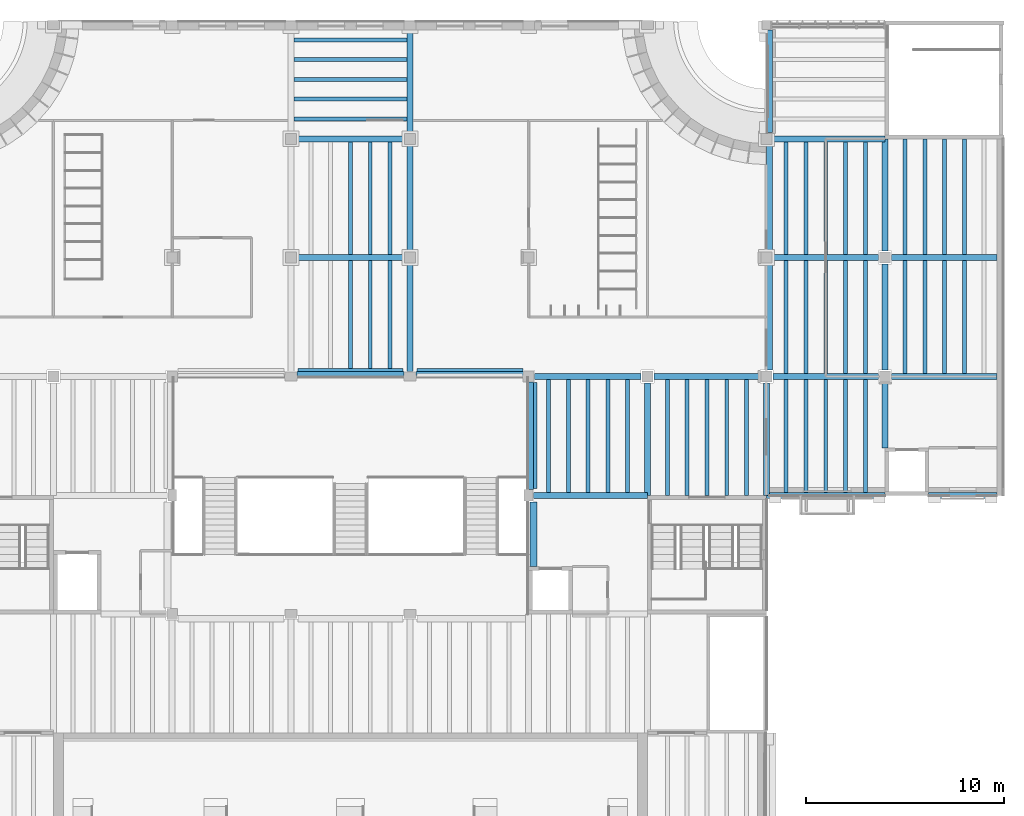
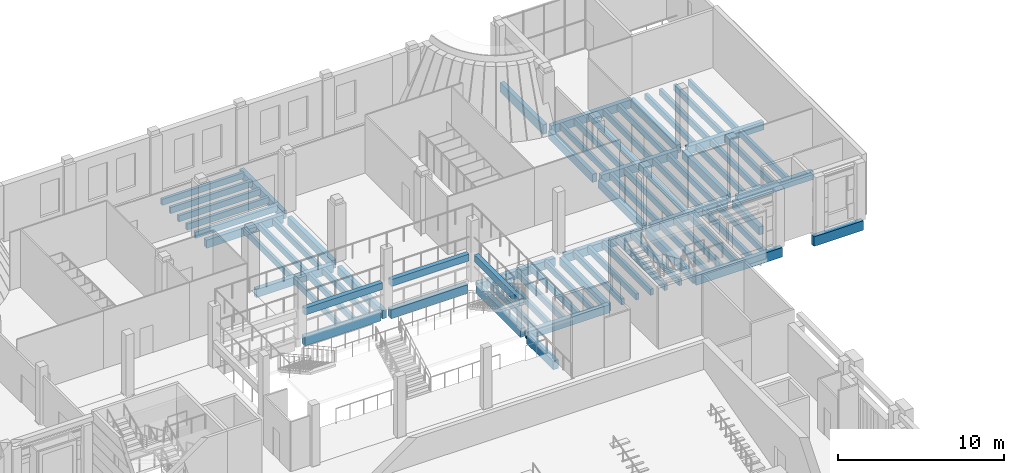
# One storey, part 15 of 70: 74 beams.
"""IFC4 building model written with IfcOpenShell, lengths in metres."""

from ifc_helpers import new_model, si_unit, direction, frame, origin, origin_2d, place, context, subcontext, project, spatial, rectangle, extrude, material, material_profile, profile_set, type_object, element, save


model = new_model("IFC4")

# Units and contexts
model_context = context("Model", 3, precision=1e-05, world=origin(), true_north=direction((0.0, 1.0)))
body_context = subcontext(model_context, "Body", "Model", "MODEL_VIEW")
ifc_project = project(units=[si_unit("LENGTHUNIT", "METRE"), si_unit("AREAUNIT", "SQUARE_METRE"), si_unit("VOLUMEUNIT", "CUBIC_METRE"), si_unit("PLANEANGLEUNIT", "RADIAN"), si_unit("MASSUNIT", "GRAM", prefix="KILO")], contexts=[model_context])

# Site, building, storey
site_placement = place(None, origin())
site = spatial("IfcSite", under=ifc_project, at=site_placement, CompositionType="ELEMENT")
building_placement = place(site_placement, origin())
building = spatial("IfcBuilding", under=site, at=building_placement, Name="Saffron Lane Theatres", CompositionType="ELEMENT")
storey_placement = place(building_placement, frame((0.0, 0.0, 12.0)))
storey = spatial("IfcBuildingStorey", under=building, at=storey_placement, Name="L02", CompositionType="ELEMENT", Elevation=12.0)

# Beams
ifc_material_1 = material(Name="Concrete N40 (40 MPa)", Category="concrete")
ifc_material_profile_1 = material_profile(ifc_material_1, rectangle(XDim=0.300048828125, YDim=0.60009765625, at=origin_2d()))
ifc_profile_set_1 = profile_set([ifc_material_profile_1], Name="Concrete N40 (40 MPa)")
beam_type_1 = type_object("IfcBeamType", Name="RC-BEAM 300x600", PredefinedType="BEAM", material=ifc_profile_set_1)
beam_1_placement = place(storey_placement, frame((42.25, 102.0, -0.550048828125), z_axis=(1.0, 0.0, 0.0), x_axis=(0.0, 1.0, 0.0)))
element("IfcBeam", 1, at=beam_1_placement, inside=storey, type_object=beam_type_1, Name="beam-L02-x1020-422", PredefinedType="BEAM", context=body_context, shape_type="SweptSolid", body=[
    extrude(rectangle(XDim=0.300048828125, YDim=0.60009765625, at=origin_2d()), origin(), (0.0, 0.0, 1.0), 5.75),
])
beam_2_placement = place(storey_placement, frame((42.300048828125, 108.0, -0.64990234375), z_axis=(1.0, 0.0, 0.0), x_axis=(0.0, 1.0, 0.0)))
element("IfcBeam", 2, at=beam_2_placement, inside=storey, type_object=beam_type_1, Name="beam-L02-x1080-423", PredefinedType="BEAM", context=body_context, shape_type="SweptSolid", body=[
    extrude(rectangle(XDim=0.300048828125, YDim=0.60009765625, at=origin_2d()), origin(), (0.0, 0.0, 1.0), 5.375),
])
for number, where, z_axis, x_axis, name in (
    (3, (48.324951171875, 108.0, -0.64990234375), (1.0, 0.0, 0.0), (0.0, 1.0, 0.0), "beam-L02-x1080-483"),
    (4, (54.324951171875, 108.0, -0.550048828125), (1.0, 0.0, 0.0), (0.0, 1.0, 0.0), "beam-L02-x1080-543"),
):
    element("IfcBeam", number, at=place(storey_placement, frame(where, z_axis=z_axis, x_axis=x_axis)), inside=storey, type_object=beam_type_1, Name=name, PredefinedType="BEAM", context=body_context, shape_type="SweptSolid", body=[
        extrude(rectangle(XDim=0.300048828125, YDim=0.60009765625, at=origin_2d()), origin(), (0.0, 0.0, 1.0), 5.35009765625),
    ])
beam_3_placement = place(storey_placement, frame((60.324951171875, 108.0, -0.550048828125), z_axis=(1.0, 0.0, 0.0), x_axis=(0.0, 1.0, 0.0)))
element("IfcBeam", 5, at=beam_3_placement, inside=storey, type_object=beam_type_1, Name="beam-L02-x1080-603", PredefinedType="BEAM", context=body_context, shape_type="SweptSolid", body=[
    extrude(rectangle(XDim=0.300048828125, YDim=0.60009765625, at=origin_2d()), origin(), (0.0, 0.0, 1.0), 5.31494140625),
])
for number, where, z_axis, x_axis, name in (
    (6, (30.324951171875, 114.0, -0.550048828125), (1.0, 0.0, 0.0), (0.0, 1.0, 0.0), "beam-L02-x1140-303"),
    (7, (54.324951171875, 114.0, -0.550048828125), (1.0, 0.0, 0.0), (0.0, 1.0, 0.0), "beam-L02-x1140-543"),
):
    element("IfcBeam", number, at=place(storey_placement, frame(where, z_axis=z_axis, x_axis=x_axis)), inside=storey, type_object=beam_type_1, Name=name, PredefinedType="BEAM", context=body_context, shape_type="SweptSolid", body=[
        extrude(rectangle(XDim=0.300048828125, YDim=0.60009765625, at=origin_2d()), origin(), (0.0, 0.0, 1.0), 5.35009765625),
    ])
beam_4_placement = place(storey_placement, frame((60.324951171875, 114.0, -0.550048828125), z_axis=(1.0, 0.0, 0.0), x_axis=(0.0, 1.0, 0.0)))
element("IfcBeam", 8, at=beam_4_placement, inside=storey, type_object=beam_type_1, Name="beam-L02-x1140-603", PredefinedType="BEAM", context=body_context, shape_type="SweptSolid", body=[
    extrude(rectangle(XDim=0.300048828125, YDim=0.60009765625, at=origin_2d()), origin(), (0.0, 0.0, 1.0), 5.31494140625),
])
beam_5_placement = place(storey_placement, frame((30.324951171875, 120.0, -0.550048828125), z_axis=(1.0, 0.0, 0.0), x_axis=(0.0, 1.0, 0.0)))
element("IfcBeam", 9, at=beam_5_placement, inside=storey, type_object=beam_type_1, Name="beam-L02-x1200-303", PredefinedType="BEAM", context=body_context, shape_type="SweptSolid", body=[
    extrude(rectangle(XDim=0.300048828125, YDim=0.60009765625, at=origin_2d()), origin(), (0.0, 0.0, 1.0), 5.35009765625),
])
beam_6_placement = place(storey_placement, frame((54.324951171875, 120.0, -0.550048828125), z_axis=(1.0, 0.0, 0.0), x_axis=(0.0, 1.0, 0.0)))
element("IfcBeam", 10, at=beam_6_placement, inside=storey, type_object=beam_type_1, Name="beam-L02-x1200-543", PredefinedType="BEAM", context=body_context, shape_type="SweptSolid", body=[
    extrude(rectangle(XDim=0.300048828125, YDim=0.60009765625, at=origin_2d()), origin(), (0.0, 0.0, 1.0), 5.675048828125),
])
beam_7_placement = place(storey_placement, frame((36.0, 108.25, -0.64990234375), z_axis=(0.0, 1.0, 0.0), x_axis=(-1.0, 0.0, 0.0)))
element("IfcBeam", 11, at=beam_7_placement, inside=storey, type_object=beam_type_1, Name="beam-L02-y360-1082", PredefinedType="BEAM", context=body_context, shape_type="SweptSolid", body=[
    extrude(rectangle(XDim=0.300048828125, YDim=0.60009765625, at=origin_2d()), origin(), (0.0, 0.0, 1.0), 5.425048828125),
])
beam_8_placement = place(storey_placement, frame((36.0, 114.324951171875, -0.64990234375), z_axis=(0.0, 1.0, 0.0), x_axis=(-1.0, 0.0, 0.0)))
element("IfcBeam", 12, at=beam_8_placement, inside=storey, type_object=beam_type_1, Name="beam-L02-y360-1143", PredefinedType="BEAM", context=body_context, shape_type="SweptSolid", body=[
    extrude(rectangle(XDim=0.300048828125, YDim=0.60009765625, at=origin_2d()), origin(), (0.0, 0.0, 1.0), 5.35009765625),
])
beam_9_placement = place(storey_placement, frame((36.0, 120.324951171875, -0.64990234375), z_axis=(0.0, 1.0, 0.0), x_axis=(-1.0, 0.0, 0.0)))
element("IfcBeam", 13, at=beam_9_placement, inside=storey, type_object=beam_type_1, Name="beam-L02-y360-1203", PredefinedType="BEAM", context=body_context, shape_type="SweptSolid", body=[
    extrude(rectangle(XDim=0.300048828125, YDim=0.60009765625, at=origin_2d()), origin(), (0.0, 0.0, 1.0), 5.149658203125),
])
for number, where, z_axis, x_axis, name in (
    (14, (48.0, 102.0, -0.550048828125), (0.0, 1.0, 0.0), (-1.0, 0.0, 0.0), "beam-L02-y480-1020"),
    (15, (54.0, 102.0, -0.550048828125), (0.0, 1.0, 0.0), (-1.0, 0.0, 0.0), "beam-L02-y540-1020"),
):
    element("IfcBeam", number, at=place(storey_placement, frame(where, z_axis=z_axis, x_axis=x_axis)), inside=storey, type_object=beam_type_1, Name=name, PredefinedType="BEAM", context=body_context, shape_type="SweptSolid", body=[
        extrude(rectangle(XDim=0.300048828125, YDim=0.60009765625, at=origin_2d()), origin(), (0.0, 0.0, 1.0), 5.675048828125),
    ])
for number, where, z_axis, x_axis, name in (
    (16, (54.14990234375, 108.324951171875, -0.64990234375), (0.0, 1.0, 0.0), (-1.0, 0.0, 0.0), "beam-L02-y540-1083"),
    (17, (54.14990234375, 114.324951171875, -0.64990234375), (0.0, 1.0, 0.0), (-1.0, 0.0, 0.0), "beam-L02-y540-1143"),
):
    element("IfcBeam", number, at=place(storey_placement, frame(where, z_axis=z_axis, x_axis=x_axis)), inside=storey, type_object=beam_type_1, Name=name, PredefinedType="BEAM", context=body_context, shape_type="SweptSolid", body=[
        extrude(rectangle(XDim=0.300048828125, YDim=0.60009765625, at=origin_2d()), origin(), (0.0, 0.0, 1.0), 5.35009765625),
    ])
beam_10_placement = place(storey_placement, frame((60.0, 104.39990234375, -0.550048828125), z_axis=(0.0, 1.0, 0.0), x_axis=(-1.0, 0.0, 0.0)))
element("IfcBeam", 18, at=beam_10_placement, inside=storey, type_object=beam_type_1, Name="beam-L02-y600-1044", PredefinedType="BEAM", context=body_context, shape_type="SweptSolid", body=[
    extrude(rectangle(XDim=0.300048828125, YDim=0.60009765625, at=origin_2d()), origin(), (0.0, 0.0, 1.0), 3.275146484375),
])
beam_11_placement = place(storey_placement, frame((60.0, 108.324951171875, -0.550048828125), z_axis=(0.0, 1.0, 0.0), x_axis=(-1.0, 0.0, 0.0)))
element("IfcBeam", 19, at=beam_11_placement, inside=storey, type_object=beam_type_1, Name="beam-L02-y600-1083", PredefinedType="BEAM", context=body_context, shape_type="SweptSolid", body=[
    extrude(rectangle(XDim=0.300048828125, YDim=0.60009765625, at=origin_2d()), origin(), (0.0, 0.0, 1.0), 5.35009765625),
])
beam_12_placement = place(storey_placement, frame((60.0, 114.324951171875, -0.550048828125), z_axis=(0.0, 1.0, 0.0), x_axis=(-1.0, 0.0, 0.0)))
element("IfcBeam", 20, at=beam_12_placement, inside=storey, type_object=beam_type_1, Name="beam-L02-y600-1143", PredefinedType="BEAM", context=body_context, shape_type="SweptSolid", body=[
    extrude(rectangle(XDim=0.300048828125, YDim=0.60009765625, at=origin_2d()), origin(), (0.0, 0.0, 1.0), 5.675048828125),
])
ifc_material_2 = material(Name="Concrete N40 (40 MPa)", Category="concrete")
ifc_material_profile_2 = material_profile(ifc_material_2, rectangle(XDim=0.300048828125, YDim=0.699951171875, at=origin_2d()))
ifc_profile_set_2 = profile_set([ifc_material_profile_2], Name="Concrete N40 (40 MPa)")
beam_type_2 = type_object("IfcBeamType", Name="RC-BEAM 300x700", PredefinedType="BEAM", material=ifc_profile_set_2)
beam_13_placement = place(storey_placement, frame((54.0, 102.0, -0.60009765625), z_axis=(1.0, 0.0, 0.0), x_axis=(0.0, 1.0, 0.0)))
element("IfcBeam", 21, at=beam_13_placement, inside=storey, type_object=beam_type_2, Name="beam-L02-x1020-540", PredefinedType="BEAM", context=body_context, shape_type="SweptSolid", body=[
    extrude(rectangle(XDim=0.300048828125, YDim=0.699951171875, at=origin_2d()), origin(), (0.0, 0.0, 1.0), 6.0),
])
beam_14_placement = place(storey_placement, frame((62.199951171875, 102.0, -0.60009765625), z_axis=(1.0, 0.0, 0.0), x_axis=(0.0, 1.0, 0.0)))
element("IfcBeam", 22, at=beam_14_placement, inside=storey, type_object=beam_type_2, Name="beam-L02-x1020-622", PredefinedType="BEAM", context=body_context, shape_type="SweptSolid", body=[
    extrude(rectangle(XDim=0.300048828125, YDim=0.699951171875, at=origin_2d()), origin(), (0.0, 0.0, 1.0), 3.43994140625),
])
beam_15_placement = place(storey_placement, frame((54.14990234375, 120.324951171875, -0.699951171875), z_axis=(0.0, 1.0, 0.0), x_axis=(-1.0, 0.0, 0.0)))
element("IfcBeam", 23, at=beam_15_placement, inside=storey, type_object=beam_type_2, Name="beam-L02-y540-1203", PredefinedType="BEAM", context=body_context, shape_type="SweptSolid", body=[
    extrude(rectangle(XDim=0.300048828125, YDim=0.699951171875, at=origin_2d()), origin(), (0.0, 0.0, 1.0), 5.174560546875),
])
ifc_material_3 = material(Name="Concrete N40 (40 MPa)", Category="concrete")
ifc_material_profile_3 = material_profile(ifc_material_3, rectangle(XDim=0.35009765625, YDim=0.64990234375, at=origin_2d()))
ifc_profile_set_3 = profile_set([ifc_material_profile_3], Name="Concrete N40 (40 MPa)")
beam_type_3 = type_object("IfcBeamType", Name="RC-BEAM 350x650", PredefinedType="BEAM", material=ifc_profile_set_3)
beam_16_placement = place(storey_placement, frame((30.35009765625, 108.235107421875, -0.574951171875), z_axis=(1.0, 0.0, 0.0), x_axis=(0.0, 1.0, 0.0)))
element("IfcBeam", 24, at=beam_16_placement, inside=storey, type_object=beam_type_3, Name="beam-L02-x1080-304", PredefinedType="BEAM", context=body_context, shape_type="SweptSolid", body=[
    extrude(rectangle(XDim=0.35009765625, YDim=0.64990234375, at=origin_2d()), origin(), (0.0, 0.0, 1.0), 5.2998046875),
])
beam_17_placement = place(storey_placement, frame((36.35009765625, 108.235107421875, -0.675048828125), z_axis=(1.0, 0.0, 0.0), x_axis=(0.0, 1.0, 0.0)))
element("IfcBeam", 25, at=beam_17_placement, inside=storey, type_object=beam_type_3, Name="beam-L02-x1080-364", PredefinedType="BEAM", context=body_context, shape_type="SweptSolid", body=[
    extrude(rectangle(XDim=0.35009765625, YDim=0.64990234375, at=origin_2d()), origin(), (0.0, 0.0, 1.0), 5.349853515625),
])
beam_18_placement = place(storey_placement, frame((42.235107421875, 98.39990234375, -0.574951171875), z_axis=(0.0, 1.0, 0.0), x_axis=(-1.0, 0.0, 0.0)))
element("IfcBeam", 26, at=beam_18_placement, inside=storey, type_object=beam_type_3, Name="beam-L02-y420-984", PredefinedType="BEAM", context=body_context, shape_type="SweptSolid", body=[
    extrude(rectangle(XDim=0.35009765625, YDim=0.64990234375, at=origin_2d()), origin(), (0.0, 0.0, 1.0), 3.25),
])
beam_19_placement = place(storey_placement, frame((42.235107421875, 102.35009765625, -0.574951171875), z_axis=(0.0, 1.0, 0.0), x_axis=(-1.0, 0.0, 0.0)))
element("IfcBeam", 27, at=beam_19_placement, inside=storey, type_object=beam_type_3, Name="beam-L02-y420-1024", PredefinedType="BEAM", context=body_context, shape_type="SweptSolid", body=[
    extrude(rectangle(XDim=0.35009765625, YDim=0.64990234375, at=origin_2d()), origin(), (0.0, 0.0, 1.0), 5.349853515625),
])
ifc_material_4 = material(Name="Concrete N40 (40 MPa)", Category="concrete")
ifc_material_profile_4 = material_profile(ifc_material_4, rectangle(XDim=0.199951171875, YDim=0.449951171875, at=origin_2d()))
ifc_profile_set_4 = profile_set([ifc_material_profile_4], Name="Concrete N40 (40 MPa)")
beam_type_4 = type_object("IfcBeamType", Name="RC-JOIST 200x450", PredefinedType="JOIST", material=ifc_profile_set_4)
for number, where, z_axis, x_axis, name in (
    (28, (33.0, 108.409912109375, -0.47509765625), (0.0, 1.0, 0.0), (-1.0, 0.0, 0.0), "joist-L02-y3300-1084"),
    (29, (34.0, 108.409912109375, -0.47509765625), (0.0, 1.0, 0.0), (-1.0, 0.0, 0.0), "joist-L02-y3400-1084"),
    (30, (35.0, 108.409912109375, -0.47509765625), (0.0, 1.0, 0.0), (-1.0, 0.0, 0.0), "joist-L02-y3500-1084"),
):
    element("IfcBeam", number, at=place(storey_placement, frame(where, z_axis=z_axis, x_axis=x_axis)), inside=storey, type_object=beam_type_4, Name=name, PredefinedType="JOIST", context=body_context, shape_type="SweptSolid", body=[
        extrude(rectangle(XDim=0.199951171875, YDim=0.449951171875, at=origin_2d()), origin(), (0.0, 0.0, 1.0), 5.440185546875),
    ])
for number, where, z_axis, x_axis, name in (
    (31, (33.0, 114.14990234375, -0.47509765625), (0.0, 1.0, 0.0), (-1.0, 0.0, 0.0), "joist-L02-y3300-1142"),
    (32, (34.0, 114.14990234375, -0.47509765625), (0.0, 1.0, 0.0), (-1.0, 0.0, 0.0), "joist-L02-y3400-1142"),
    (33, (35.0, 114.14990234375, -0.47509765625), (0.0, 1.0, 0.0), (-1.0, 0.0, 0.0), "joist-L02-y3500-1142"),
    (34, (30.14990234375, 121.0, -0.47509765625), (1.0, 0.0, 0.0), (0.0, 1.0, 0.0), "joist-L02-x12100-302"),
    (35, (30.14990234375, 122.0, -0.47509765625), (1.0, 0.0, 0.0), (0.0, 1.0, 0.0), "joist-L02-x12200-302"),
    (36, (30.14990234375, 123.0, -0.47509765625), (1.0, 0.0, 0.0), (0.0, 1.0, 0.0), "joist-L02-x12300-302"),
    (37, (30.14990234375, 124.0, -0.47509765625), (1.0, 0.0, 0.0), (0.0, 1.0, 0.0), "joist-L02-x12400-302"),
    (38, (30.14990234375, 125.0, -0.47509765625), (1.0, 0.0, 0.0), (0.0, 1.0, 0.0), "joist-L02-x12500-302"),
    (39, (43.0, 102.14990234375, -0.47509765625), (0.0, 1.0, 0.0), (-1.0, 0.0, 0.0), "joist-L02-y4300-1022"),
    (40, (44.0, 102.14990234375, -0.47509765625), (0.0, 1.0, 0.0), (-1.0, 0.0, 0.0), "joist-L02-y4400-1022"),
    (41, (45.0, 102.14990234375, -0.47509765625), (0.0, 1.0, 0.0), (-1.0, 0.0, 0.0), "joist-L02-y4500-1022"),
    (42, (46.0, 102.14990234375, -0.47509765625), (0.0, 1.0, 0.0), (-1.0, 0.0, 0.0), "joist-L02-y4600-1022"),
    (43, (47.0, 102.14990234375, -0.47509765625), (0.0, 1.0, 0.0), (-1.0, 0.0, 0.0), "joist-L02-y4700-1022"),
):
    element("IfcBeam", number, at=place(storey_placement, frame(where, z_axis=z_axis, x_axis=x_axis)), inside=storey, type_object=beam_type_4, Name=name, PredefinedType="JOIST", context=body_context, shape_type="SweptSolid", body=[
        extrude(rectangle(XDim=0.199951171875, YDim=0.449951171875, at=origin_2d()), origin(), (0.0, 0.0, 1.0), 5.7001953125),
    ])
for number, where, z_axis, x_axis, name in (
    (44, (49.0, 102.0, -0.47509765625), (0.0, 1.0, 0.0), (-1.0, 0.0, 0.0), "joist-L02-y4900-1020"),
    (45, (50.0, 102.0, -0.47509765625), (0.0, 1.0, 0.0), (-1.0, 0.0, 0.0), "joist-L02-y5000-1020"),
    (46, (51.0, 102.0, -0.47509765625), (0.0, 1.0, 0.0), (-1.0, 0.0, 0.0), "joist-L02-y5100-1020"),
    (47, (52.0, 102.0, -0.47509765625), (0.0, 1.0, 0.0), (-1.0, 0.0, 0.0), "joist-L02-y5200-1020"),
    (48, (53.0, 102.0, -0.47509765625), (0.0, 1.0, 0.0), (-1.0, 0.0, 0.0), "joist-L02-y5300-1020"),
):
    element("IfcBeam", number, at=place(storey_placement, frame(where, z_axis=z_axis, x_axis=x_axis)), inside=storey, type_object=beam_type_4, Name=name, PredefinedType="JOIST", context=body_context, shape_type="SweptSolid", body=[
        extrude(rectangle(XDim=0.199951171875, YDim=0.449951171875, at=origin_2d()), origin(), (0.0, 0.0, 1.0), 5.85009765625),
    ])
for number, where, z_axis, x_axis, name in (
    (49, (55.0, 102.14990234375, -0.47509765625), (0.0, 1.0, 0.0), (-1.0, 0.0, 0.0), "joist-L02-y5500-1022"),
    (50, (56.0, 102.14990234375, -0.47509765625), (0.0, 1.0, 0.0), (-1.0, 0.0, 0.0), "joist-L02-y5600-1022"),
    (51, (57.0, 102.14990234375, -0.47509765625), (0.0, 1.0, 0.0), (-1.0, 0.0, 0.0), "joist-L02-y5700-1022"),
    (52, (58.0, 102.14990234375, -0.47509765625), (0.0, 1.0, 0.0), (-1.0, 0.0, 0.0), "joist-L02-y5800-1022"),
    (53, (59.0, 102.14990234375, -0.47509765625), (0.0, 1.0, 0.0), (-1.0, 0.0, 0.0), "joist-L02-y5900-1022"),
    (54, (55.0, 108.14990234375, -0.47509765625), (0.0, 1.0, 0.0), (-1.0, 0.0, 0.0), "joist-L02-y5500-1082"),
    (55, (56.0, 108.14990234375, -0.47509765625), (0.0, 1.0, 0.0), (-1.0, 0.0, 0.0), "joist-L02-y5600-1082"),
    (56, (57.0, 108.14990234375, -0.47509765625), (0.0, 1.0, 0.0), (-1.0, 0.0, 0.0), "joist-L02-y5700-1082"),
    (57, (58.0, 108.14990234375, -0.47509765625), (0.0, 1.0, 0.0), (-1.0, 0.0, 0.0), "joist-L02-y5800-1082"),
    (58, (59.0, 108.14990234375, -0.47509765625), (0.0, 1.0, 0.0), (-1.0, 0.0, 0.0), "joist-L02-y5900-1082"),
    (59, (55.0, 114.14990234375, -0.47509765625), (0.0, 1.0, 0.0), (-1.0, 0.0, 0.0), "joist-L02-y5500-1142"),
    (60, (56.0, 114.14990234375, -0.47509765625), (0.0, 1.0, 0.0), (-1.0, 0.0, 0.0), "joist-L02-y5600-1142"),
    (61, (57.0, 114.14990234375, -0.47509765625), (0.0, 1.0, 0.0), (-1.0, 0.0, 0.0), "joist-L02-y5700-1142"),
    (62, (58.0, 114.14990234375, -0.47509765625), (0.0, 1.0, 0.0), (-1.0, 0.0, 0.0), "joist-L02-y5800-1142"),
    (63, (59.0, 114.14990234375, -0.47509765625), (0.0, 1.0, 0.0), (-1.0, 0.0, 0.0), "joist-L02-y5900-1142"),
    (64, (61.0, 108.14990234375, -0.47509765625), (0.0, 1.0, 0.0), (-1.0, 0.0, 0.0), "joist-L02-y6100-1082"),
    (65, (62.0, 108.14990234375, -0.47509765625), (0.0, 1.0, 0.0), (-1.0, 0.0, 0.0), "joist-L02-y6200-1082"),
    (66, (63.0, 108.14990234375, -0.47509765625), (0.0, 1.0, 0.0), (-1.0, 0.0, 0.0), "joist-L02-y6300-1082"),
    (67, (64.0, 108.14990234375, -0.47509765625), (0.0, 1.0, 0.0), (-1.0, 0.0, 0.0), "joist-L02-y6400-1082"),
):
    element("IfcBeam", number, at=place(storey_placement, frame(where, z_axis=z_axis, x_axis=x_axis)), inside=storey, type_object=beam_type_4, Name=name, PredefinedType="JOIST", context=body_context, shape_type="SweptSolid", body=[
        extrude(rectangle(XDim=0.199951171875, YDim=0.449951171875, at=origin_2d()), origin(), (0.0, 0.0, 1.0), 5.7001953125),
    ])
for number, where, z_axis, x_axis, name in (
    (68, (61.0, 114.14990234375, -0.47509765625), (0.0, 1.0, 0.0), (-1.0, 0.0, 0.0), "joist-L02-y6100-1142"),
    (69, (62.0, 114.14990234375, -0.47509765625), (0.0, 1.0, 0.0), (-1.0, 0.0, 0.0), "joist-L02-y6200-1142"),
    (70, (63.0, 114.14990234375, -0.47509765625), (0.0, 1.0, 0.0), (-1.0, 0.0, 0.0), "joist-L02-y6300-1142"),
    (71, (64.0, 114.14990234375, -0.47509765625), (0.0, 1.0, 0.0), (-1.0, 0.0, 0.0), "joist-L02-y6400-1142"),
):
    element("IfcBeam", number, at=place(storey_placement, frame(where, z_axis=z_axis, x_axis=x_axis)), inside=storey, type_object=beam_type_4, Name=name, PredefinedType="JOIST", context=body_context, shape_type="SweptSolid", body=[
        extrude(rectangle(XDim=0.199951171875, YDim=0.449951171875, at=origin_2d()), origin(), (0.0, 0.0, 1.0), 5.85009765625),
    ])
ifc_material_5 = material(Name="Concrete N40 (40 MPa)", Category="concrete")
ifc_material_profile_5 = material_profile(ifc_material_5, rectangle(XDim=0.300048828125, YDim=0.5, at=origin_2d()))
ifc_profile_set_5 = profile_set([ifc_material_profile_5], Name="Concrete N40 (40 MPa)")
beam_type_5 = type_object("IfcBeamType", Name="VC-LANDING BEAM 300x500", PredefinedType="BEAM", material=ifc_profile_set_5)
beam_20_placement = place(storey_placement, frame((42.10009765625, 102.300048828125, 1.716552734375), z_axis=(0.0, 1.0, 0.0), x_axis=(-1.0, 0.0, 0.0)))
element("IfcBeam", 72, at=beam_20_placement, inside=storey, type_object=beam_type_5, Name="Landing beam 12", PredefinedType="BEAM", context=body_context, shape_type="SweptSolid", body=[
    extrude(rectangle(XDim=0.300048828125, YDim=0.5, at=origin_2d()), origin(), (0.0, 0.0, 1.0), 5.425048828125),
])
beam_21_placement = place(storey_placement, frame((30.300048828125, 108.10009765625, 1.716552734375), z_axis=(1.0, 0.0, 0.0), x_axis=(0.0, 1.0, 0.0)))
element("IfcBeam", 73, at=beam_21_placement, inside=storey, type_object=beam_type_5, Name="Landing beam 14", PredefinedType="BEAM", context=body_context, shape_type="SweptSolid", body=[
    extrude(rectangle(XDim=0.300048828125, YDim=0.5, at=origin_2d()), origin(), (0.0, 0.0, 1.0), 5.39990234375),
])
beam_22_placement = place(storey_placement, frame((36.300048828125, 108.10009765625, 1.716552734375), z_axis=(1.0, 0.0, 0.0), x_axis=(0.0, 1.0, 0.0)))
element("IfcBeam", 74, at=beam_22_placement, inside=storey, type_object=beam_type_5, Name="Landing beam 15", PredefinedType="BEAM", context=body_context, shape_type="SweptSolid", body=[
    extrude(rectangle(XDim=0.300048828125, YDim=0.5, at=origin_2d()), origin(), (0.0, 0.0, 1.0), 5.425048828125),
])

save(model, "model.ifc")
